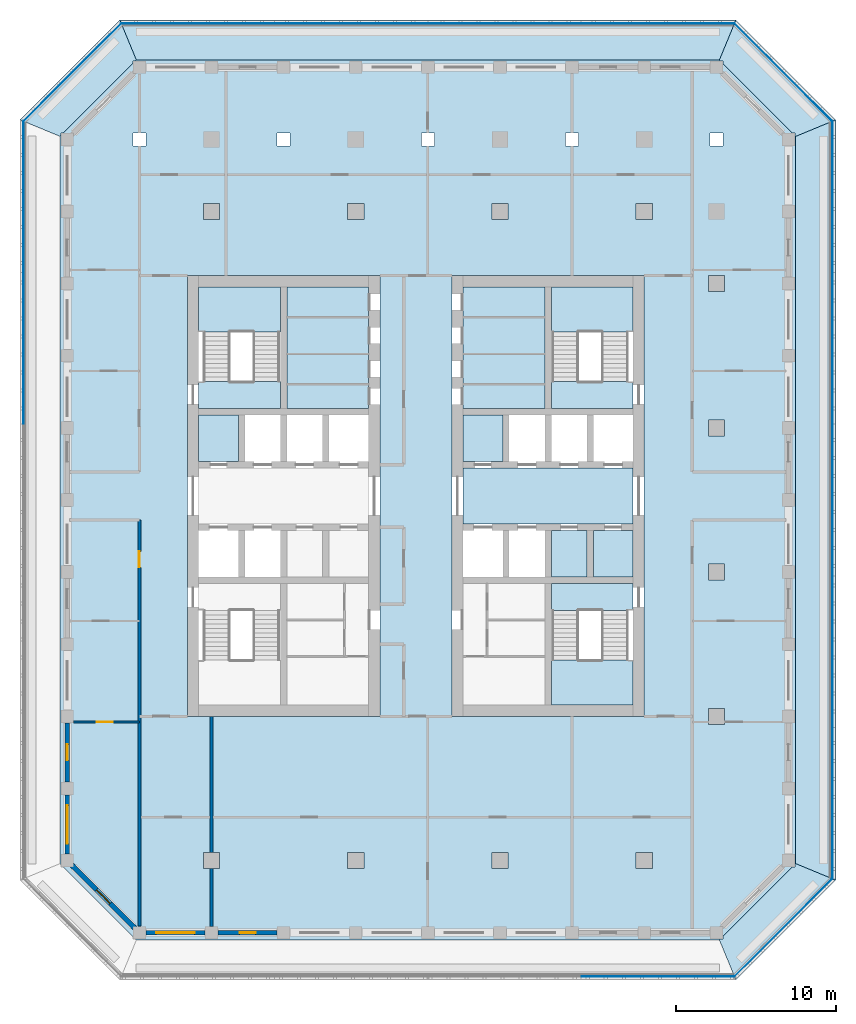
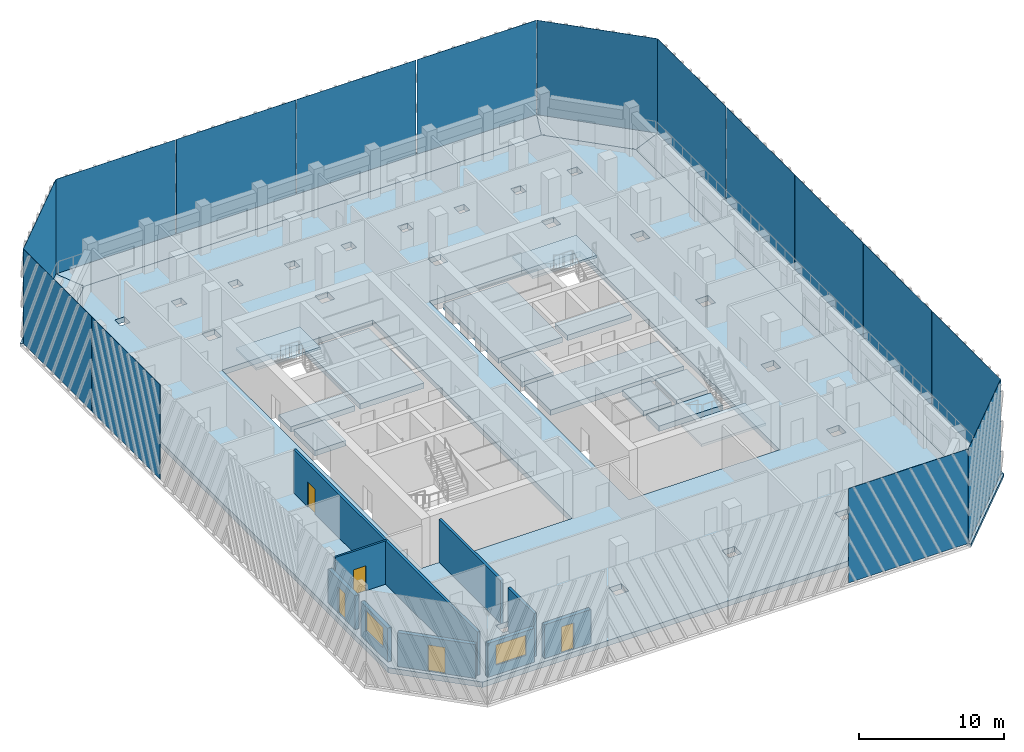
# One storey, part 2 of 17: 19 slabs, 15 plates, 9 walls, 5 doors, 2 windows, 7 openings, 3 elements without a shape of their own.
"""IFC4 building model written with IfcOpenShell, lengths in metres."""

from ifc_helpers import new_model, si_unit, direction, frame, frame_2d, origin, origin_2d, place, context, subcontext, project, spatial, polyline, rectangle, outline, extrude, material, layer, layer_set, type_object, element, fill, aggregate, save


model = new_model("IFC4")

# Units and contexts
model_context = context("Model", 3, precision=1e-05, world=origin(), true_north=direction((0.0, 1.0)))
body_context = subcontext(model_context, "Body", "Model", "MODEL_VIEW")
ifc_project = project(units=[si_unit("LENGTHUNIT", "METRE"), si_unit("AREAUNIT", "SQUARE_METRE"), si_unit("VOLUMEUNIT", "CUBIC_METRE"), si_unit("PLANEANGLEUNIT", "RADIAN"), si_unit("MASSUNIT", "GRAM", prefix="KILO")], contexts=[model_context])

# Site, building, storey
site_placement = place(None, origin())
site = spatial("IfcSite", under=ifc_project, at=site_placement, CompositionType="ELEMENT")
building_placement = place(site_placement, origin())
building = spatial("IfcBuilding", under=site, at=building_placement, Name="Corbel Stack Research Tower", CompositionType="ELEMENT")
storey_placement = place(building_placement, frame((0.0, 0.0, 231.60009765625)))
storey = spatial("IfcBuildingStorey", under=building, at=storey_placement, Name="L52", CompositionType="ELEMENT", Elevation=231.60009765625)

# Plates
ifc_material_1 = material(Name="Fritted glass", Category="glass")
ifc_layer_1 = layer(ifc_material_1, 0.02490234375)
ifc_layer_set_1 = layer_set([ifc_layer_1], Name="Fritted glass")
plate_type = type_object("IfcPlateType", Name="Fritted glass panel 25", PredefinedType="SHEET", material=ifc_layer_set_1)
plate_1_placement = place(storey_placement, frame((18.854248046875, -25.237548828125, 0.0), z_axis=(0.0, 0.0, 1.0), x_axis=(1.0, 0.0, 0.0)))
element("IfcPlate", 1, at=plate_1_placement, inside=storey, type_object=plate_type, Name="Fritted glass L52 S4", PredefinedType="SHEET", context=body_context, shape_type="SweptSolid", body=[
    extrude(rectangle(XDim=9.509521484375, YDim=0.02490234375, at=origin_2d()), origin(), (0.0, 0.0, 1.0), 7.949951171875),
])
plate_2_placement = place(storey_placement, frame((26.685791015625, -22.185791015625, 0.0), z_axis=(0.0, 0.0, 1.0), x_axis=(0.707106781187, 0.707106781187, 0.0)))
element("IfcPlate", 2, at=plate_2_placement, inside=storey, type_object=plate_type, Name="Fritted glass L52 SE1", PredefinedType="SHEET", context=body_context, shape_type="SweptSolid", body=[
    extrude(rectangle(XDim=8.58203125, YDim=0.02490234375, at=origin_2d()), origin(), (0.0, 0.0, 1.0), 7.949951171875),
])
for number, where, z_axis, x_axis, name in (
    (3, (29.737548828125, -14.411376953125, 0.0), (0.0, 0.0, 1.0), (0.0, 1.0, 0.0), "Fritted glass L52 E1"),
    (4, (29.737548828125, -4.95556640625, 0.0), (0.0, 0.0, 1.0), (0.0, 1.0, 0.0), "Fritted glass L52 E2"),
    (5, (29.737548828125, 4.5, 0.0), (0.0, 0.0, 1.0), (0.0, 1.0, 0.0), "Fritted glass L52 E3"),
    (6, (29.737548828125, 13.95556640625, 0.0), (0.0, 0.0, 1.0), (0.0, 1.0, 0.0), "Fritted glass L52 E4"),
    (7, (29.737548828125, 23.411376953125, 0.0), (0.0, 0.0, 1.0), (0.0, 1.0, 0.0), "Fritted glass L52 E5"),
):
    element("IfcPlate", number, at=place(storey_placement, frame(where, z_axis=z_axis, x_axis=x_axis)), inside=storey, type_object=plate_type, Name=name, PredefinedType="SHEET", context=body_context, shape_type="SweptSolid", body=[
        extrude(rectangle(XDim=9.3955078125, YDim=0.02490234375, at=origin_2d()), origin(), (0.0, 0.0, 1.0), 7.949951171875),
    ])
plate_3_placement = place(storey_placement, frame((26.685791015625, 31.185791015625, 0.0), z_axis=(0.0, 0.0, 1.0), x_axis=(-0.707106781187, 0.707106781187, 0.0)))
element("IfcPlate", 8, at=plate_3_placement, inside=storey, type_object=plate_type, Name="Fritted glass L52 NE1", PredefinedType="SHEET", context=body_context, shape_type="SweptSolid", body=[
    extrude(rectangle(XDim=8.58203125, YDim=0.02490234375, at=origin_2d()), origin(), (0.0, 0.0, 1.0), 7.949951171875),
])
for number, where, z_axis, x_axis, name in (
    (9, (18.854248046875, 34.237548828125, 0.0), (0.0, 0.0, 1.0), (-1.0, 0.0, 0.0), "Fritted glass L52 N1"),
    (10, (9.284912109375, 34.237548828125, 0.0), (0.0, 0.0, 1.0), (-1.0, 0.0, 0.0), "Fritted glass L52 N2"),
    (11, (-0.284912109375, 34.237548828125, 0.0), (0.0, 0.0, 1.0), (-1.0, 0.0, 0.0), "Fritted glass L52 N3"),
    (12, (-9.854248046875, 34.237548828125, 0.0), (0.0, 0.0, 1.0), (-1.0, 0.0, 0.0), "Fritted glass L52 N4"),
):
    element("IfcPlate", number, at=place(storey_placement, frame(where, z_axis=z_axis, x_axis=x_axis)), inside=storey, type_object=plate_type, Name=name, PredefinedType="SHEET", context=body_context, shape_type="SweptSolid", body=[
        extrude(rectangle(XDim=9.509521484375, YDim=0.02490234375, at=origin_2d()), origin(), (0.0, 0.0, 1.0), 7.949951171875),
    ])
plate_4_placement = place(storey_placement, frame((-17.685791015625, 31.185791015625, 0.0), z_axis=(0.0, 0.0, 1.0), x_axis=(-0.707106781187, -0.707106781187, 0.0)))
element("IfcPlate", 13, at=plate_4_placement, inside=storey, type_object=plate_type, Name="Fritted glass L52 NW1", PredefinedType="SHEET", context=body_context, shape_type="SweptSolid", body=[
    extrude(rectangle(XDim=8.58203125, YDim=0.02490234375, at=origin_2d()), origin(), (0.0, 0.0, 1.0), 7.949951171875),
])
for number, where, z_axis, x_axis, name in (
    (14, (-20.737548828125, 23.411376953125, 0.0), (0.0, 0.0, 1.0), (0.0, -1.0, 0.0), "Fritted glass L52 W1"),
    (15, (-20.737548828125, 13.95556640625, 0.0), (0.0, 0.0, 1.0), (0.0, -1.0, 0.0), "Fritted glass L52 W2"),
):
    element("IfcPlate", number, at=place(storey_placement, frame(where, z_axis=z_axis, x_axis=x_axis)), inside=storey, type_object=plate_type, Name=name, PredefinedType="SHEET", context=body_context, shape_type="SweptSolid", body=[
        extrude(rectangle(XDim=9.3955078125, YDim=0.02490234375, at=origin_2d()), origin(), (0.0, 0.0, 1.0), 7.949951171875),
    ])

# Slabs
ifc_material_2 = material(Name="Concrete C45/55", Category="concrete")
ifc_layer_2 = layer(ifc_material_2, 0.25)
ifc_layer_set_2 = layer_set([ifc_layer_2], Name="Concrete C45/55")
slab_type_1 = type_object("IfcSlabType", Name="PT balcony slab 250 C45/55", PredefinedType="FLOOR", material=ifc_layer_set_2)
slab_1_placement = place(storey_placement, frame((0.0, 0.0, -0.25)))
element("IfcSlab", 16, at=slab_1_placement, inside=storey, type_object=slab_type_1, Name="Loggia slab L52 SE", PredefinedType="FLOOR", context=body_context, shape_type="SweptSolid", body=[
    extrude(outline(polyline([(27.449951171875, -18.186279296875), (27.39990234375, -18.236328125), (27.39990234375, -18.39990234375), (27.236328125, -18.39990234375), (22.89990234375, -22.736328125), (22.89990234375, -22.89990234375), (22.736328125, -22.89990234375), (22.686279296875, -22.949951171875), (23.721923828125, -25.449951171875), (29.949951171875, -19.221923828125), (27.449951171875, -18.186279296875)])), origin(), (0.0, 0.0, 1.0), 0.25),
])
slab_2_placement = place(storey_placement, frame((0.0, 0.0, -0.25)))
element("IfcSlab", 17, at=slab_2_placement, inside=storey, type_object=slab_type_1, Name="Loggia slab L52 E", PredefinedType="FLOOR", context=body_context, shape_type="SweptSolid", body=[
    extrude(outline(polyline([(27.449951171875, 27.186279296875), (27.449951171875, -18.186279296875), (29.949951171875, -19.221923828125), (29.949951171875, 28.221923828125), (27.449951171875, 27.186279296875)])), origin(), (0.0, 0.0, 1.0), 0.25),
])
slab_3_placement = place(storey_placement, frame((0.0, 0.0, -0.25)))
element("IfcSlab", 18, at=slab_3_placement, inside=storey, type_object=slab_type_1, Name="Loggia slab L52 NE", PredefinedType="FLOOR", context=body_context, shape_type="SweptSolid", body=[
    extrude(outline(polyline([(22.686279296875, 31.949951171875), (22.736328125, 31.89990234375), (22.89990234375, 31.89990234375), (22.89990234375, 31.736328125), (27.236328125, 27.39990234375), (27.39990234375, 27.39990234375), (27.39990234375, 27.236328125), (27.449951171875, 27.186279296875), (29.949951171875, 28.221923828125), (23.721923828125, 34.449951171875), (22.686279296875, 31.949951171875)])), origin(), (0.0, 0.0, 1.0), 0.25),
])
slab_4_placement = place(storey_placement, frame((0.0, 0.0, -0.25)))
element("IfcSlab", 19, at=slab_4_placement, inside=storey, type_object=slab_type_1, Name="Loggia slab L52 N", PredefinedType="FLOOR", context=body_context, shape_type="SweptSolid", body=[
    extrude(outline(polyline([(-13.686279296875, 31.949951171875), (22.686279296875, 31.949951171875), (23.721923828125, 34.449951171875), (-14.721923828125, 34.449951171875), (-13.686279296875, 31.949951171875)])), origin(), (0.0, 0.0, 1.0), 0.25),
])
slab_5_placement = place(storey_placement, frame((0.0, 0.0, -0.25)))
element("IfcSlab", 20, at=slab_5_placement, inside=storey, type_object=slab_type_1, Name="Loggia slab L52 NW", PredefinedType="FLOOR", context=body_context, shape_type="SweptSolid", body=[
    extrude(outline(polyline([(-18.449951171875, 27.186279296875), (-18.39990234375, 27.236328125), (-18.39990234375, 27.39990234375), (-18.236328125, 27.39990234375), (-13.89990234375, 31.736328125), (-13.89990234375, 31.89990234375), (-13.736328125, 31.89990234375), (-13.686279296875, 31.949951171875), (-14.721923828125, 34.449951171875), (-20.949951171875, 28.221923828125), (-18.449951171875, 27.186279296875)])), origin(), (0.0, 0.0, 1.0), 0.25),
])
ifc_material_3 = material(Name="Concrete C45/55", Category="concrete")
ifc_layer_3 = layer(ifc_material_3, 0.449951171875)
ifc_layer_set_3 = layer_set([ifc_layer_3], Name="Concrete C45/55")
slab_type_2 = type_object("IfcSlabType", Name="PT-450", PredefinedType="FLOOR", material=ifc_layer_set_3)
slab_6_placement = place(storey_placement, frame((0.0, 0.0, -0.4501953125)))
element("IfcSlab", 21, at=slab_6_placement, inside=storey, type_object=slab_type_2, Name="Floor slab L52", PredefinedType="FLOOR", context=body_context, shape_type="SweptSolid", body=[
    extrude(outline(polyline([(-13.686279296875, -22.949951171875), (22.686279296875, -22.949951171875), (27.449951171875, -18.186279296875), (27.449951171875, 27.186279296875), (22.686279296875, 31.949951171875), (-13.686279296875, 31.949951171875), (-18.449951171875, 27.186279296875), (-18.449951171875, -18.186279296875), (-13.686279296875, -22.949951171875)]), holes=[polyline([(23.0, 17.5), (22.0, 17.5), (22.0, 18.5), (23.0, 18.5), (23.0, 17.5)]), polyline([(22.0, 8.5), (22.0, 9.5), (23.0, 9.5), (23.0, 8.5), (22.0, 8.5)]), polyline([(23.0, -0.5), (22.0, -0.5), (22.0, 0.5), (23.0, 0.5), (23.0, -0.5)]), polyline([(22.0, -9.5), (22.0, -8.5), (23.0, -8.5), (23.0, -9.5), (22.0, -9.5)]), polyline([(22.10009765625, 26.60009765625), (22.10009765625, 27.39990234375), (22.89990234375, 27.39990234375), (22.89990234375, 26.60009765625), (22.10009765625, 26.60009765625)]), polyline([(17.5, 22.0), (17.5, 23.0), (18.5, 23.0), (18.5, 22.0), (17.5, 22.0)]), polyline([(17.5, -18.5), (17.5, -17.5), (18.5, -17.5), (18.5, -18.5), (17.5, -18.5)]), polyline([(17.60009765625, 26.60009765625), (17.60009765625, 27.39990234375), (18.39990234375, 27.39990234375), (18.39990234375, 26.60009765625), (17.60009765625, 26.60009765625)]), polyline([(6.0, -9.0), (6.0, 18.5), (18.0, 18.5), (18.0, -9.0), (6.0, -9.0)]), polyline([(13.89990234375, 26.60009765625), (13.10009765625, 26.60009765625), (13.10009765625, 27.39990234375), (13.89990234375, 27.39990234375), (13.89990234375, 26.60009765625)]), polyline([(9.5, -18.5), (8.5, -18.5), (8.5, -17.5), (9.5, -17.5), (9.5, -18.5)]), polyline([(8.5, 22.0), (8.5, 23.0), (9.5, 23.0), (9.5, 22.0), (8.5, 22.0)]), polyline([(9.39990234375, 26.60009765625), (8.60009765625, 26.60009765625), (8.60009765625, 27.39990234375), (9.39990234375, 27.39990234375), (9.39990234375, 26.60009765625)]), polyline([(4.10009765625, 26.60009765625), (4.10009765625, 27.39990234375), (4.89990234375, 27.39990234375), (4.89990234375, 26.60009765625), (4.10009765625, 26.60009765625)]), polyline([(-10.5, -9.0), (-10.5, 18.5), (1.5, 18.5), (1.5, -9.0), (-10.5, -9.0)]), polyline([(0.5, 22.0), (-0.5, 22.0), (-0.5, 23.0), (0.5, 23.0), (0.5, 22.0)]), polyline([(0.5, -18.5), (-0.5, -18.5), (-0.5, -17.5), (0.5, -17.5), (0.5, -18.5)]), polyline([(-0.39990234375, 26.60009765625), (-0.39990234375, 27.39990234375), (0.39990234375, 27.39990234375), (0.39990234375, 26.60009765625), (-0.39990234375, 26.60009765625)]), polyline([(-4.10009765625, 26.60009765625), (-4.89990234375, 26.60009765625), (-4.89990234375, 27.39990234375), (-4.10009765625, 27.39990234375), (-4.10009765625, 26.60009765625)]), polyline([(-9.5, 22.0), (-9.5, 23.0), (-8.5, 23.0), (-8.5, 22.0), (-9.5, 22.0)]), polyline([(-8.5, -18.5), (-9.5, -18.5), (-9.5, -17.5), (-8.5, -17.5), (-8.5, -18.5)]), polyline([(-9.39990234375, 26.60009765625), (-9.39990234375, 27.39990234375), (-8.60009765625, 27.39990234375), (-8.60009765625, 26.60009765625), (-9.39990234375, 26.60009765625)]), polyline([(-13.89990234375, 26.60009765625), (-13.89990234375, 27.39990234375), (-13.10009765625, 27.39990234375), (-13.10009765625, 26.60009765625), (-13.89990234375, 26.60009765625)])]), origin(), (0.0, 0.0, 1.0), 0.4501953125),
])
slab_7_placement = place(storey_placement, frame((0.0, 0.0, -0.4501953125)))
element("IfcSlab", 22, at=slab_7_placement, inside=storey, type_object=slab_type_2, Name="West core floor L52", PredefinedType="FLOOR", context=body_context, shape_type="SweptSolid", body=[
    extrude(outline(polyline([(-9.800048828125, 6.89990234375), (-7.324951171875, 6.89990234375), (-7.324951171875, 9.800048828125), (-9.800048828125, 9.800048828125), (-9.800048828125, 6.89990234375)])), origin(), (0.0, 0.0, 1.0), 0.4501953125),
])
slab_8_placement = place(storey_placement, frame((0.0, 0.0, -0.4501953125)))
element("IfcSlab", 23, at=slab_8_placement, inside=storey, type_object=slab_type_2, Name="West core floor L52", PredefinedType="FLOOR", context=body_context, shape_type="SweptSolid", body=[
    extrude(outline(polyline([(-4.300048828125, 17.800048828125), (-4.300048828125, 10.199951171875), (0.800048828125, 10.199951171875), (0.800048828125, 17.800048828125), (-4.300048828125, 17.800048828125)])), origin(), (0.0, 0.0, 1.0), 0.4501953125),
])
slab_9_placement = place(storey_placement, frame((0.0, 0.0, -0.4501953125)))
element("IfcSlab", 24, at=slab_9_placement, inside=storey, type_object=slab_type_2, Name="East core floor L52", PredefinedType="FLOOR", context=body_context, shape_type="SweptSolid", body=[
    extrude(outline(polyline([(6.699951171875, 3.0), (17.300048828125, 3.0), (17.300048828125, 6.5), (6.699951171875, 6.5), (6.699951171875, 3.0)])), origin(), (0.0, 0.0, 1.0), 0.4501953125),
])
slab_10_placement = place(storey_placement, frame((0.0, 0.0, -0.4501953125)))
element("IfcSlab", 25, at=slab_10_placement, inside=storey, type_object=slab_type_2, Name="East core floor L52", PredefinedType="FLOOR", context=body_context, shape_type="SweptSolid", body=[
    extrude(outline(polyline([(6.699951171875, 6.89990234375), (9.175048828125, 6.89990234375), (9.175048828125, 9.800048828125), (6.699951171875, 9.800048828125), (6.699951171875, 6.89990234375)])), origin(), (0.0, 0.0, 1.0), 0.4501953125),
])
slab_11_placement = place(storey_placement, frame((0.0, 0.0, -0.4501953125)))
element("IfcSlab", 26, at=slab_11_placement, inside=storey, type_object=slab_type_2, Name="East core floor L52", PredefinedType="FLOOR", context=body_context, shape_type="SweptSolid", body=[
    extrude(outline(polyline([(6.699951171875, 10.199951171875), (11.800048828125, 10.199951171875), (11.800048828125, 17.800048828125), (6.699951171875, 17.800048828125), (6.699951171875, 10.199951171875)])), origin(), (0.0, 0.0, 1.0), 0.4501953125),
])
slab_12_placement = place(storey_placement, frame((0.0, 0.0, -0.4501953125)))
element("IfcSlab", 27, at=slab_12_placement, inside=storey, type_object=slab_type_2, Name="East core floor L52", PredefinedType="FLOOR", context=body_context, shape_type="SweptSolid", body=[
    extrude(outline(polyline([(12.199951171875, 2.60009765625), (12.199951171875, -0.300048828125), (14.425048828125, -0.300048828125), (14.425048828125, 2.60009765625), (12.199951171875, 2.60009765625)])), origin(), (0.0, 0.0, 1.0), 0.4501953125),
])
slab_13_placement = place(storey_placement, frame((0.0, 0.0, -0.4501953125)))
element("IfcSlab", 28, at=slab_13_placement, inside=storey, type_object=slab_type_2, Name="East core floor L52", PredefinedType="FLOOR", context=body_context, shape_type="SweptSolid", body=[
    extrude(outline(polyline([(14.824951171875, 2.60009765625), (14.824951171875, -0.300048828125), (17.300048828125, -0.300048828125), (17.300048828125, 2.60009765625), (14.824951171875, 2.60009765625)])), origin(), (0.0, 0.0, 1.0), 0.4501953125),
])
slab_14_placement = place(storey_placement, frame((0.0, 0.0, -0.4501953125)))
element("IfcSlab", 29, at=slab_14_placement, inside=storey, type_object=slab_type_2, Name="Stair floor landing ST-W2", PredefinedType="FLOOR", context=body_context, shape_type="SweptSolid", body=[
    extrude(outline(polyline([(-9.800048828125, 10.199951171875), (-4.699951171875, 10.199951171875), (-4.699951171875, 11.89990234375), (-9.800048828125, 11.89990234375), (-9.800048828125, 10.199951171875)])), origin(), (0.0, 0.0, 1.0), 0.4501953125),
])
slab_15_placement = place(storey_placement, frame((0.0, 0.0, -0.4501953125)))
element("IfcSlab", 30, at=slab_15_placement, inside=storey, type_object=slab_type_2, Name="Stair floor landing ST-E1", PredefinedType="FLOOR", context=body_context, shape_type="SweptSolid", body=[
    extrude(outline(polyline([(12.199951171875, -2.39990234375), (17.300048828125, -2.39990234375), (17.300048828125, -0.699951171875), (12.199951171875, -0.699951171875), (12.199951171875, -2.39990234375)])), origin(), (0.0, 0.0, 1.0), 0.4501953125),
])
slab_16_placement = place(storey_placement, frame((0.0, 0.0, -0.4501953125)))
element("IfcSlab", 31, at=slab_16_placement, inside=storey, type_object=slab_type_2, Name="Stair floor landing ST-E2", PredefinedType="FLOOR", context=body_context, shape_type="SweptSolid", body=[
    extrude(outline(polyline([(12.199951171875, 10.199951171875), (17.300048828125, 10.199951171875), (17.300048828125, 11.89990234375), (12.199951171875, 11.89990234375), (12.199951171875, 10.199951171875)])), origin(), (0.0, 0.0, 1.0), 0.4501953125),
])

# Stair, slab
ifc_material_4 = material(Name="Concrete C40/50", Category="concrete")
stair_type = type_object("IfcStairType", Name="Exit stair 24 risers", PredefinedType="HALF_TURN_STAIR", material=ifc_material_4)
stair_1_placement = place(storey_placement, origin())
stair_1 = element("IfcStair", 32, at=stair_1_placement, inside=storey, type_object=stair_type, Name="L52 Exit stair ST-W2", PredefinedType="HALF_TURN_STAIR")
ifc_material_5 = material(Name="Concrete C40/50", Category="concrete")
ifc_layer_4 = layer(ifc_material_5, 0.199951171875)
ifc_layer_set_4 = layer_set([ifc_layer_4], Name="Concrete C40/50")
slab_type_3 = type_object("IfcSlabType", Name="Stair landing 200 C40/50", PredefinedType="LANDING", material=ifc_layer_set_4)
slab_17_placement = place(storey_placement, frame((0.0, 0.0, 1.849853515625)))
slab_17 = element("IfcSlab", 33, at=slab_17_placement, type_object=slab_type_3, Name="ST-W2 landing 1", PredefinedType="LANDING", context=body_context, shape_type="SweptSolid", body=[
    extrude(outline(polyline([(-9.800048828125, 14.97998046875), (-9.800048828125, 17.800048828125), (-4.699951171875, 17.800048828125), (-4.699951171875, 14.97998046875), (-9.800048828125, 14.97998046875)])), origin(), (0.0, 0.0, 1.0), 0.199951171875),
])
aggregate(stair_1, [slab_17])

stair_2_placement = place(storey_placement, origin())
stair_2 = element("IfcStair", 34, at=stair_2_placement, inside=storey, type_object=stair_type, Name="L52 Exit stair ST-E1", PredefinedType="HALF_TURN_STAIR")
slab_18_placement = place(storey_placement, frame((0.0, 0.0, 1.849853515625)))
slab_18 = element("IfcSlab", 35, at=slab_18_placement, type_object=slab_type_3, Name="ST-E1 landing 1", PredefinedType="LANDING", context=body_context, shape_type="SweptSolid", body=[
    extrude(outline(polyline([(12.199951171875, -8.300048828125), (12.199951171875, -5.47998046875), (17.300048828125, -5.47998046875), (17.300048828125, -8.300048828125), (12.199951171875, -8.300048828125)])), origin(), (0.0, 0.0, 1.0), 0.199951171875),
])
aggregate(stair_2, [slab_18])

stair_3_placement = place(storey_placement, origin())
stair_3 = element("IfcStair", 36, at=stair_3_placement, inside=storey, type_object=stair_type, Name="L52 Exit stair ST-E2", PredefinedType="HALF_TURN_STAIR")
slab_19_placement = place(storey_placement, frame((0.0, 0.0, 1.849853515625)))
slab_19 = element("IfcSlab", 37, at=slab_19_placement, type_object=slab_type_3, Name="ST-E2 landing 1", PredefinedType="LANDING", context=body_context, shape_type="SweptSolid", body=[
    extrude(outline(polyline([(12.199951171875, 14.97998046875), (12.199951171875, 17.800048828125), (17.300048828125, 17.800048828125), (17.300048828125, 14.97998046875), (12.199951171875, 14.97998046875)])), origin(), (0.0, 0.0, 1.0), 0.199951171875),
])
aggregate(stair_3, [slab_19])

# Wall, opening, door
ifc_material_6 = material(Name="Fire-rated gypsum board partition on steel studs", Category="steel")
ifc_layer_5 = layer(ifc_material_6, 0.199951171875)
ifc_layer_set_5 = layer_set([ifc_layer_5], Name="Fire-rated gypsum board partition on steel studs")
wall_type_1 = type_object("IfcWallType", Name="Fire-rated partition 200 EI 60", PredefinedType="PARTITIONING", material=ifc_layer_set_5)
wall_1_placement = place(storey_placement, frame((-13.5, -22.0771484375, 0.0), z_axis=(0.0, 0.0, 1.0), x_axis=(0.0, 1.0, 0.0)))
wall_1 = element("IfcWall", 38, at=wall_1_placement, inside=storey, type_object=wall_type_1, Name="Partition L52-001", PredefinedType="PARTITIONING", context=body_context, shape_type="SweptSolid", body=[
    extrude(rectangle(XDim=25.3271484375, YDim=0.199951171875, at=frame_2d((12.66357421875, 0.0))), origin(), (0.0, 0.0, 1.0), 3.64990234375),
])
opening_1_placement = place(wall_1_placement, frame((22.377197265625, 0.0, 0.0)))
opening_1 = element("IfcOpeningElement", 39, at=opening_1_placement, cuts=wall_1, Name="Opening B7V0H-005", PredefinedType="OPENING", context=body_context, shape_type="SweptSolid", body=[
    extrude(rectangle(XDim=1.0, YDim=2.10009765625, at=frame_2d((0.5, 1.050048828125))), frame((0.0, 0.10986328125, 0.0), z_axis=(0.0, -1.0, 0.0), x_axis=(1.0, 0.0, 0.0)), (0.0, 0.0, 1.0), 0.219970703125),
])
ifc_material_7 = material(Name="Painted steel fire door", Category="steel")
door_type_1 = type_object("IfcDoorType", Name="Fire door FD30S 1000 x 2100", OperationType="NOTDEFINED", PredefinedType="DOOR", material=ifc_material_7)
door_1_placement = place(opening_1_placement, origin())
door_1 = element("IfcDoor", 40, at=door_1_placement, inside=storey, type_object=door_type_1, Name="Door B7V0H-005", OperationType="SINGLE_SWING_RIGHT", OverallHeight=2.10009765625, OverallWidth=1.0, PredefinedType="DOOR", context=body_context, shape_type="SweptSolid", body=[
    extrude(rectangle(XDim=1.0, YDim=2.10009765625, at=frame_2d((0.5, 1.050048828125))), frame((0.0, 0.02490234375, 0.0), z_axis=(0.0, -1.0, 0.0), x_axis=(1.0, 0.0, 0.0)), (0.0, 0.0, 1.0), 0.050048828125),
])
fill(opening_1, door_1)

# Walls
wall_2_placement = place(storey_placement, frame((-9.0, -22.10009765625, 0.0), z_axis=(0.0, 0.0, 1.0), x_axis=(0.0, 1.0, 0.0)))
element("IfcWall", 41, at=wall_2_placement, inside=storey, type_object=wall_type_1, Name="Partition L52-004", PredefinedType="PARTITIONING", context=body_context, shape_type="SweptSolid", body=[
    extrude(rectangle(XDim=3.60009765625, YDim=0.199951171875, at=frame_2d((1.800048828125, 0.0))), origin(), (0.0, 0.0, 1.0), 3.64990234375),
])
wall_3_placement = place(storey_placement, frame((-9.0, -17.5, 0.0), z_axis=(0.0, 0.0, 1.0), x_axis=(0.0, 1.0, 0.0)))
element("IfcWall", 42, at=wall_3_placement, inside=storey, type_object=wall_type_1, Name="Partition L52-005", PredefinedType="PARTITIONING", context=body_context, shape_type="SweptSolid", body=[
    extrude(rectangle(XDim=8.5, YDim=0.199951171875, at=frame_2d((4.25, 0.0))), origin(), (0.0, 0.0, 1.0), 3.64990234375),
])

# Wall, opening, door
ifc_material_8 = material(Name="Gypsum board partition on steel studs", Category="steel")
ifc_layer_6 = layer(ifc_material_8, 0.14990234375)
ifc_layer_set_6 = layer_set([ifc_layer_6], Name="Gypsum board partition on steel studs")
wall_type_2 = type_object("IfcWallType", Name="Partition 150", PredefinedType="PARTITIONING", material=ifc_layer_set_6)
wall_4_placement = place(storey_placement, frame((-13.5, -9.35009765625, 0.0), z_axis=(0.0, 0.0, 1.0), x_axis=(-1.0, 0.0, 0.0)))
wall_4 = element("IfcWall", 43, at=wall_4_placement, inside=storey, type_object=wall_type_2, Name="Partition L52-019", PredefinedType="PARTITIONING", context=body_context, shape_type="SweptSolid", body=[
    extrude(rectangle(XDim=4.10009765625, YDim=0.14990234375, at=frame_2d((2.050048828125, 0.0))), origin(), (0.0, 0.0, 1.0), 3.64990234375),
])
opening_2_placement = place(wall_4_placement, frame((1.64990234375, 0.0, 0.0)))
opening_2 = element("IfcOpeningElement", 44, at=opening_2_placement, cuts=wall_4, Name="Opening B7V0H-007", PredefinedType="OPENING", context=body_context, shape_type="SweptSolid", body=[
    extrude(rectangle(XDim=1.0, YDim=2.10009765625, at=frame_2d((0.5, 1.050048828125))), frame((0.0, 0.0849609375, 0.0), z_axis=(0.0, -1.0, 0.0), x_axis=(1.0, 0.0, 0.0)), (0.0, 0.0, 1.0), 0.169921875),
])
ifc_material_9 = material(Name="Painted timber door", Category="wood")
door_type_2 = type_object("IfcDoorType", Name="Single door 1000 x 2100", OperationType="NOTDEFINED", PredefinedType="DOOR", material=ifc_material_9)
door_2_placement = place(opening_2_placement, origin())
door_2 = element("IfcDoor", 45, at=door_2_placement, inside=storey, type_object=door_type_2, Name="Door B7V0H-007", OperationType="SINGLE_SWING_RIGHT", OverallHeight=2.10009765625, OverallWidth=1.0, PredefinedType="DOOR", context=body_context, shape_type="SweptSolid", body=[
    extrude(rectangle(XDim=1.0, YDim=2.10009765625, at=frame_2d((0.5, 1.050048828125))), frame((0.0, 0.02490234375, 0.0), z_axis=(0.0, -1.0, 0.0), x_axis=(1.0, 0.0, 0.0)), (0.0, 0.0, 1.0), 0.050048828125),
])
fill(opening_2, door_2)

# Wall, opening, window
ifc_material_10 = material(Name="Concrete C45/55", Category="concrete")
ifc_layer_7 = layer(ifc_material_10, 0.300048828125)
ifc_layer_set_7 = layer_set([ifc_layer_7], Name="Concrete C45/55")
wall_type_3 = type_object("IfcWallType", Name="Terracotta-faced concrete wall 300", PredefinedType="SOLIDWALL", material=ifc_layer_set_7)
wall_5_placement = place(storey_placement, frame((-9.39990234375, -22.5, 0.0), z_axis=(0.0, 0.0, 1.0), x_axis=(-1.0, 0.0, 0.0)))
wall_5 = element("IfcWall", 46, at=wall_5_placement, inside=storey, type_object=wall_type_3, Name="Facade wall L52 S01", PredefinedType="SOLIDWALL", context=body_context, shape_type="SweptSolid", body=[
    extrude(rectangle(XDim=3.7001953125, YDim=0.300048828125, at=frame_2d((1.85009765625, 0.0))), origin(), (0.0, 0.0, 1.0), 2.849853515625),
])
opening_3_placement = place(wall_5_placement, frame((0.64990234375, 0.0, 0.800048828125)))
opening_3 = element("IfcOpeningElement", 47, at=opening_3_placement, cuts=wall_5, Name="Opening W1", PredefinedType="OPENING", context=body_context, shape_type="SweptSolid", body=[
    extrude(rectangle(XDim=2.39990234375, YDim=1.699951171875, at=frame_2d((1.199951171875, 0.85009765625))), frame((0.0, 0.159912109375, 0.0), z_axis=(0.0, -1.0, 0.0), x_axis=(1.0, 0.0, 0.0)), (0.0, 0.0, 1.0), 0.320068359375),
])
ifc_material_11 = material(Name="Aluminium frame, clear double glazing", Category="aluminium")
window_type = type_object("IfcWindowType", Name="Window W1 2400 x 1700", PartitioningType="SINGLE_PANEL", PredefinedType="WINDOW", material=ifc_material_11)
window_1_placement = place(opening_3_placement, origin())
window_1 = element("IfcWindow", 48, at=window_1_placement, inside=storey, type_object=window_type, Name="Window W1 L52 S01", OverallHeight=1.699951171875, OverallWidth=2.39990234375, PartitioningType="SINGLE_PANEL", PredefinedType="WINDOW", context=body_context, shape_type="SweptSolid", body=[
    extrude(rectangle(XDim=2.39990234375, YDim=1.699951171875, at=frame_2d((1.199951171875, 0.85009765625))), frame((0.0, 0.030029296875, 0.0), z_axis=(0.0, -1.0, 0.0), x_axis=(1.0, 0.0, 0.0)), (0.0, 0.0, 1.0), 0.06005859375),
])
fill(opening_3, window_1)

# Wall, opening, door
wall_6_placement = place(storey_placement, frame((-4.89990234375, -22.5, 0.0), z_axis=(0.0, 0.0, 1.0), x_axis=(-1.0, 0.0, 0.0)))
wall_6 = element("IfcWall", 49, at=wall_6_placement, inside=storey, type_object=wall_type_3, Name="Facade wall L52 S02", PredefinedType="SOLIDWALL", context=body_context, shape_type="SweptSolid", body=[
    extrude(rectangle(XDim=3.7001953125, YDim=0.300048828125, at=frame_2d((1.85009765625, 0.0))), origin(), (0.0, 0.0, 1.0), 2.849853515625),
])
opening_4_placement = place(wall_6_placement, frame((1.35009765625, 0.0, 0.0)))
opening_4 = element("IfcOpeningElement", 50, at=opening_4_placement, cuts=wall_6, Name="Opening L52-B01", PredefinedType="OPENING", context=body_context, shape_type="SweptSolid", body=[
    extrude(rectangle(XDim=1.0, YDim=2.199951171875, at=frame_2d((0.5, 1.10009765625))), frame((0.0, 0.159912109375, 0.0), z_axis=(0.0, -1.0, 0.0), x_axis=(1.0, 0.0, 0.0)), (0.0, 0.0, 1.0), 0.320068359375),
])
ifc_material_12 = material(Name="Aluminium frame, clear double glazing", Category="aluminium")
door_type_3 = type_object("IfcDoorType", Name="Balcony door BD1 1000 x 2200", OperationType="NOTDEFINED", PredefinedType="DOOR", material=ifc_material_12)
door_3_placement = place(opening_4_placement, origin())
door_3 = element("IfcDoor", 51, at=door_3_placement, inside=storey, type_object=door_type_3, Name="Balcony door L52-B01", OperationType="SINGLE_SWING_RIGHT", OverallHeight=2.199951171875, OverallWidth=1.0, PredefinedType="DOOR", context=body_context, shape_type="SweptSolid", body=[
    extrude(rectangle(XDim=1.0, YDim=2.199951171875, at=frame_2d((0.5, 1.10009765625))), frame((0.0, 0.02490234375, 0.0), z_axis=(0.0, -1.0, 0.0), x_axis=(1.0, 0.0, 0.0)), (0.0, 0.0, 1.0), 0.050048828125),
])
fill(opening_4, door_3)

wall_7_placement = place(storey_placement, frame((-18.0, -13.10009765625, 0.0), z_axis=(0.0, 0.0, 1.0), x_axis=(0.0, 1.0, 0.0)))
wall_7 = element("IfcWall", 52, at=wall_7_placement, inside=storey, type_object=wall_type_3, Name="Facade wall L52 W09", PredefinedType="SOLIDWALL", context=body_context, shape_type="SweptSolid", body=[
    extrude(rectangle(XDim=3.7001953125, YDim=0.300048828125, at=frame_2d((1.85009765625, 0.0))), origin(), (0.0, 0.0, 1.0), 2.849853515625),
])
opening_5_placement = place(wall_7_placement, frame((1.35009765625, 0.0, 0.0)))
opening_5 = element("IfcOpeningElement", 53, at=opening_5_placement, cuts=wall_7, Name="Opening L52-B11", PredefinedType="OPENING", context=body_context, shape_type="SweptSolid", body=[
    extrude(rectangle(XDim=1.0, YDim=2.199951171875, at=frame_2d((0.5, 1.10009765625))), frame((0.0, 0.159912109375, 0.0), z_axis=(0.0, -1.0, 0.0), x_axis=(1.0, 0.0, 0.0)), (0.0, 0.0, 1.0), 0.320068359375),
])
door_4_placement = place(opening_5_placement, origin())
door_4 = element("IfcDoor", 54, at=door_4_placement, inside=storey, type_object=door_type_3, Name="Balcony door L52-B11", OperationType="SINGLE_SWING_LEFT", OverallHeight=2.199951171875, OverallWidth=1.0, PredefinedType="DOOR", context=body_context, shape_type="SweptSolid", body=[
    extrude(rectangle(XDim=1.0, YDim=2.199951171875, at=frame_2d((0.5, 1.10009765625))), frame((0.0, 0.02490234375, 0.0), z_axis=(0.0, -1.0, 0.0), x_axis=(1.0, 0.0, 0.0)), (0.0, 0.0, 1.0), 0.050048828125),
])
fill(opening_5, door_4)

# Wall, opening, window
wall_8_placement = place(storey_placement, frame((-18.0, -17.60009765625, 0.0), z_axis=(0.0, 0.0, 1.0), x_axis=(0.0, 1.0, 0.0)))
wall_8 = element("IfcWall", 55, at=wall_8_placement, inside=storey, type_object=wall_type_3, Name="Facade wall L52 W10", PredefinedType="SOLIDWALL", context=body_context, shape_type="SweptSolid", body=[
    extrude(rectangle(XDim=3.7001953125, YDim=0.300048828125, at=frame_2d((1.85009765625, 0.0))), origin(), (0.0, 0.0, 1.0), 2.849853515625),
])
opening_6_placement = place(wall_8_placement, frame((0.64990234375, 0.0, 0.800048828125)))
opening_6 = element("IfcOpeningElement", 56, at=opening_6_placement, cuts=wall_8, Name="Opening W1", PredefinedType="OPENING", context=body_context, shape_type="SweptSolid", body=[
    extrude(rectangle(XDim=2.39990234375, YDim=1.699951171875, at=frame_2d((1.199951171875, 0.85009765625))), frame((0.0, 0.159912109375, 0.0), z_axis=(0.0, -1.0, 0.0), x_axis=(1.0, 0.0, 0.0)), (0.0, 0.0, 1.0), 0.320068359375),
])
window_2_placement = place(opening_6_placement, origin())
window_2 = element("IfcWindow", 57, at=window_2_placement, inside=storey, type_object=window_type, Name="Window W1 L52 W10", OverallHeight=1.699951171875, OverallWidth=2.39990234375, PartitioningType="SINGLE_PANEL", PredefinedType="WINDOW", context=body_context, shape_type="SweptSolid", body=[
    extrude(rectangle(XDim=2.39990234375, YDim=1.699951171875, at=frame_2d((1.199951171875, 0.85009765625))), frame((0.0, 0.030029296875, 0.0), z_axis=(0.0, -1.0, 0.0), x_axis=(1.0, 0.0, 0.0)), (0.0, 0.0, 1.0), 0.06005859375),
])
fill(opening_6, window_2)

# Wall, opening, door
wall_9_placement = place(storey_placement, frame((-13.7939453125, -22.2060546875, 0.0), z_axis=(0.0, 0.0, 1.0), x_axis=(-0.707106781187, 0.707106781187, 0.0)))
wall_9 = element("IfcWall", 58, at=wall_9_placement, inside=storey, type_object=wall_type_3, Name="Facade wall L52 SW01", PredefinedType="SOLIDWALL", context=body_context, shape_type="SweptSolid", body=[
    extrude(rectangle(XDim=5.532470703125, YDim=0.300048828125, at=frame_2d((2.76611328125, 0.0))), origin(), (0.0, 0.0, 1.0), 2.849853515625),
])
opening_7_placement = place(wall_9_placement, frame((2.166259765625, 0.0, 0.0)))
opening_7 = element("IfcOpeningElement", 59, at=opening_7_placement, cuts=wall_9, Name="Opening L52-B12", PredefinedType="OPENING", context=body_context, shape_type="SweptSolid", body=[
    extrude(rectangle(XDim=1.199951171875, YDim=2.199951171875, at=frame_2d((0.60009765625, 1.10009765625))), frame((0.0, 0.159912109375, 0.0), z_axis=(0.0, -1.0, 0.0), x_axis=(1.0, 0.0, 0.0)), (0.0, 0.0, 1.0), 0.320068359375),
])
ifc_material_13 = material(Name="Aluminium frame, clear double glazing", Category="aluminium")
door_type_4 = type_object("IfcDoorType", Name="Balcony door BD2 1200 x 2200", OperationType="NOTDEFINED", PredefinedType="DOOR", material=ifc_material_13)
door_5_placement = place(opening_7_placement, origin())
door_5 = element("IfcDoor", 60, at=door_5_placement, inside=storey, type_object=door_type_4, Name="Balcony door L52-B12", OperationType="SINGLE_SWING_LEFT", OverallHeight=2.199951171875, OverallWidth=1.199951171875, PredefinedType="DOOR", context=body_context, shape_type="SweptSolid", body=[
    extrude(rectangle(XDim=1.199951171875, YDim=2.199951171875, at=frame_2d((0.60009765625, 1.10009765625))), frame((0.0, 0.02490234375, 0.0), z_axis=(0.0, -1.0, 0.0), x_axis=(1.0, 0.0, 0.0)), (0.0, 0.0, 1.0), 0.050048828125),
])
fill(opening_7, door_5)

save(model, "model.ifc")
